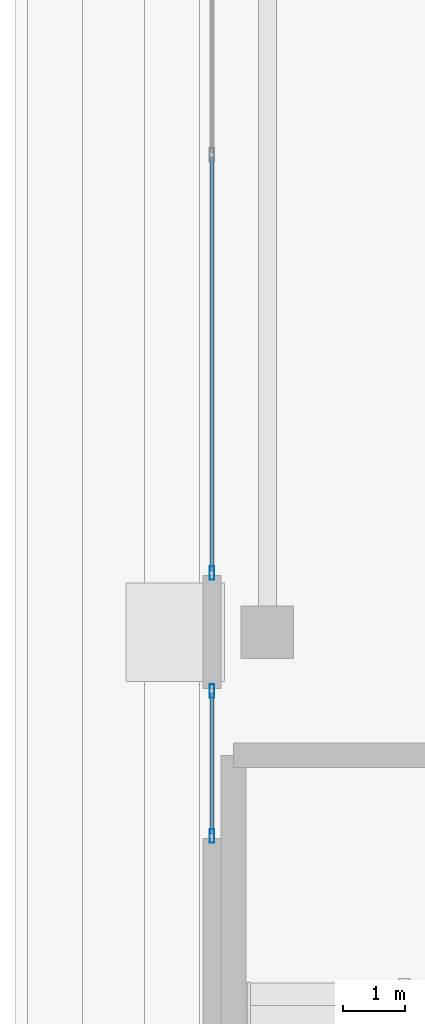
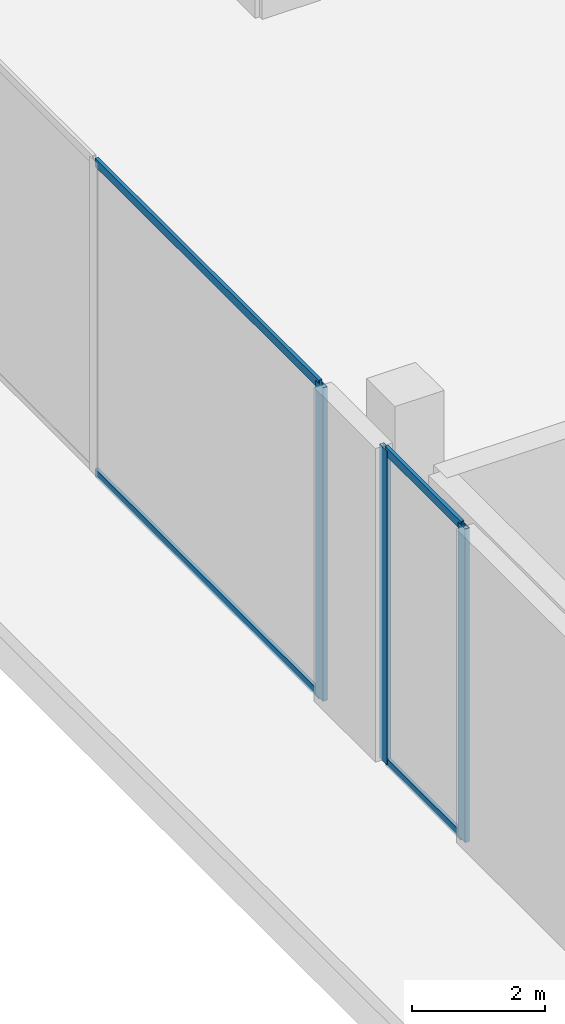
# One storey, part 6 of 39: 7 members, 2 elements without a shape of their own.
"""IFC4 building model written with IfcOpenShell, lengths in metres."""

import ifcopenshell
import ifcopenshell.guid

model = None  # the IFC model being written
_history = None  # IfcOwnerHistory: only IFC2X3 demands one
_inside = {}  # id of a spatial element -> (the spatial element, [elements in it])
_under = {}  # id of a project, library or spatial element -> (it, [spatial elements below it])
_declared = {}  # id of a project -> (the project, [libraries it declares])
_typed = {}  # id of a type object -> (the type object, [elements of that type])
_made_of = {}  # id of a material, layer set ... -> (it, [elements and type objects made of it])


def new_model(schema):
    """Start an empty IFC model of exactly this schema.

    Asked for "IFC4X3", IfcOpenShell would pick the latest addendum, in which some entities
    have other attributes; the version numbers below select the first issue.
    IFC2X3 requires an IfcOwnerHistory on every rooted entity: one is made here for all.
    """
    global model, _history
    if schema == "IFC4X3":
        model = ifcopenshell.file(schema_version=(4, 3, 0, 0))
    else:
        model = ifcopenshell.file(schema=schema)
    _inside.clear()
    _under.clear()
    _declared.clear()
    _typed.clear()
    _made_of.clear()
    _history = None
    if model.schema == "IFC2X3":
        org = make("IfcOrganization", Name="unknown")
        user = make(
            "IfcPersonAndOrganization",
            ThePerson=make("IfcPerson", FamilyName="unknown"),
            TheOrganization=org,
        )
        app = make(
            "IfcApplication",
            ApplicationDeveloper=org,
            Version="unknown",
            ApplicationFullName="unknown",
            ApplicationIdentifier="unknown",
        )
        _history = make(
            "IfcOwnerHistory",
            OwningUser=user,
            OwningApplication=app,
            ChangeAction="ADDED",
            CreationDate=0,
        )
    return model


def make(cls, **values):
    """One entity of the class cls with the attributes given. An attribute that is None is left unset."""
    return model.create_entity(
        cls, **{name: value for name, value in values.items() if value is not None}
    )


def rooted(cls, **values):
    """An entity with a GlobalId (a new one), such as an element, a storey or a relation."""
    return make(cls, GlobalId=ifcopenshell.guid.new(), OwnerHistory=_history, **values)


def si_unit(unit_type, name, prefix=None):
    """IfcSIUnit, for example si_unit("LENGTHUNIT", "METRE", prefix="MILLI")."""
    return make("IfcSIUnit", UnitType=unit_type, Prefix=prefix, Name=name)


def assignment(units):
    """IfcUnitAssignment: the units of a project."""
    return None if units is None else make("IfcUnitAssignment", Units=units)


def point(xyz):
    """IfcCartesianPoint."""
    return None if xyz is None else make("IfcCartesianPoint", Coordinates=xyz)


def direction(xyz):
    """IfcDirection."""
    return None if xyz is None else make("IfcDirection", DirectionRatios=xyz)


def frame(location, z_axis=None, x_axis=None):
    """IfcAxis2Placement3D, a coordinate frame: its origin and axes. An axis left out is left unset."""
    return make(
        "IfcAxis2Placement3D",
        Location=point(location),
        Axis=direction(z_axis),
        RefDirection=direction(x_axis),
    )


def frame_2d(location, x_axis=None):
    """IfcAxis2Placement2D, a coordinate frame in the plane: its origin and x axis."""
    return make(
        "IfcAxis2Placement2D", Location=point(location), RefDirection=direction(x_axis)
    )


def origin():
    """The frame at (0, 0, 0) with its axes left unset."""
    return frame((0.0, 0.0, 0.0))


def origin_2d():
    """The frame at (0, 0) in the plane with its x axis left unset."""
    return frame_2d((0.0, 0.0))


def place(relative_to, where):
    """IfcLocalPlacement: puts the frame where relative to a parent placement (None: the world)."""
    return make(
        "IfcLocalPlacement", PlacementRelTo=relative_to, RelativePlacement=where
    )


def context(
    kind, dimensions, precision=None, world=None, true_north=None, identifier=None
):
    """IfcGeometricRepresentationContext, for example the 3D "Model" context."""
    return make(
        "IfcGeometricRepresentationContext",
        ContextIdentifier=identifier,
        ContextType=kind,
        CoordinateSpaceDimension=dimensions,
        Precision=precision,
        WorldCoordinateSystem=world,
        TrueNorth=true_north,
    )


def subcontext(parent, identifier, kind, view, scale=None):
    """IfcGeometricRepresentationSubContext, for example "Body" below "Model"."""
    return make(
        "IfcGeometricRepresentationSubContext",
        ContextIdentifier=identifier,
        ContextType=kind,
        ParentContext=parent,
        TargetScale=scale,
        TargetView=view,
    )


def project(units=None, contexts=None):
    """IfcProject with its units and contexts."""
    return rooted(
        "IfcProject",
        Name="project",
        RepresentationContexts=contexts,
        UnitsInContext=assignment(units),
    )


def spatial(cls, under=None, at=None, **own):
    """A site, building, storey or space (cls), placed at a placement, below another one or the project."""
    s = rooted(cls, ObjectPlacement=at, **own)
    if under is not None:
        _under.setdefault(under.id(), (under, []))[1].append(s)
    return s


def profile(cls, at=None, kind="AREA", **sizes):
    """A parametric profile (cls). Its sizes go by their IFC names, for example OverallWidth=200.0."""
    return make(cls, ProfileType=kind, Position=at, **sizes)


def hollow_rectangle(**sizes):
    """IfcRectangleHollowProfileDef."""
    return profile("IfcRectangleHollowProfileDef", **sizes)


def extrude(swept, where, along, depth):
    """IfcExtrudedAreaSolid: the profile swept, set in the frame where, extruded along a direction by depth."""
    return make(
        "IfcExtrudedAreaSolid",
        SweptArea=swept,
        Position=where,
        ExtrudedDirection=direction(along),
        Depth=depth,
    )


def shape(context_of_items, identifier, shape_type, items):
    """IfcShapeRepresentation: the items that make up one representation, for example the "Body"."""
    return make(
        "IfcShapeRepresentation",
        ContextOfItems=context_of_items,
        RepresentationIdentifier=identifier,
        RepresentationType=shape_type,
        Items=items,
    )


def material(Name=None, Category=None):
    """IfcMaterial."""
    return make("IfcMaterial", Name=Name, Category=Category)


def layer(
    of_material, thickness, ventilated=None, Name=None, Category=None, Priority=None
):
    """IfcMaterialLayer: one layer of a wall or slab, of a material (None: an air gap)."""
    return make(
        "IfcMaterialLayer",
        Material=of_material,
        LayerThickness=thickness,
        IsVentilated=ventilated,
        Name=Name,
        Category=Category,
        Priority=Priority,
    )


def layer_set(layers, Name=None):
    """IfcMaterialLayerSet."""
    return make("IfcMaterialLayerSet", MaterialLayers=layers, LayerSetName=Name)


def material_profile(
    of_material, cross_section, Name=None, Category=None, Priority=None
):
    """IfcMaterialProfile: a cross section and its material."""
    return make(
        "IfcMaterialProfile",
        Name=Name,
        Material=of_material,
        Profile=cross_section,
        Priority=Priority,
        Category=Category,
    )


def profile_set(profiles, Name=None, composite=None):
    """IfcMaterialProfileSet."""
    return make(
        "IfcMaterialProfileSet",
        Name=Name,
        MaterialProfiles=profiles,
        CompositeProfile=composite,
    )


def made_of(thing, what):
    """Note that an element or type object is made of a material, layer set ...; save() writes the relation."""
    if what is not None:
        _made_of.setdefault(what.id(), (what, []))[1].append(thing)
    return thing


def type_object(cls, material=None, **own):
    """A type object (cls), such as IfcWallType, which elements share."""
    return made_of(rooted(cls, **own), material)


def element(
    cls,
    number,
    at=None,
    inside=None,
    cuts=None,
    type_object=None,
    material=None,
    context=None,
    identifier="Body",
    shape_type=None,
    held_by="IfcProductDefinitionShape",
    body=None,
    shapes=None,
    **own,
):
    """One element of the class cls, such as IfcWall. Its Tag is "e" and its number.

    at: its placement. inside: the storey or other place that contains it. cuts: it is an
    opening in that element (IfcRelVoidsElement). A single representation is given by context,
    identifier, shape_type and body (its items); several are given by shapes. held_by: the class
    of the entity that holds the representations. save() writes the other relations.
    """
    e = rooted(cls, Tag="e%d" % number, ObjectPlacement=at, **own)
    if body is not None:
        shapes = [shape(context, identifier, shape_type, body)]
    if shapes is not None:
        e.Representation = make(held_by, Representations=shapes)
    if inside is not None:
        _inside.setdefault(inside.id(), (inside, []))[1].append(e)
    if cuts is not None:
        rooted(
            "IfcRelVoidsElement", RelatingBuildingElement=cuts, RelatedOpeningElement=e
        )
    if type_object is not None:
        _typed.setdefault(type_object.id(), (type_object, []))[1].append(e)
    return made_of(e, material)


def aggregate(whole, parts):
    """IfcRelAggregates: a whole, such as a stair, and the parts it consists of."""
    return rooted("IfcRelAggregates", RelatingObject=whole, RelatedObjects=parts)


def save(model, path):
    """Write the relations noted so far, then the file.

    IfcRelAggregates (storeys below a building ...), IfcRelContainedInSpatialStructure (elements
    in a storey), IfcRelDefinesByType, IfcRelAssociatesMaterial and IfcRelDeclares: one each for
    every whole, place, type object, material and project.
    """
    for whole, parts in _under.values():
        aggregate(whole, parts)
    for where, things in _inside.values():
        rooted(
            "IfcRelContainedInSpatialStructure",
            RelatedElements=things,
            RelatingStructure=where,
        )
    for kind, things in _typed.values():
        rooted("IfcRelDefinesByType", RelatedObjects=things, RelatingType=kind)
    for what, things in _made_of.values():
        rooted("IfcRelAssociatesMaterial", RelatedObjects=things, RelatingMaterial=what)
    for by, libraries in _declared.values():
        rooted("IfcRelDeclares", RelatingContext=by, RelatedDefinitions=libraries)
    model.write(path)


model = new_model("IFC4")

# Units and contexts
model_context = context("Model", 3, precision=1e-05, world=origin(), true_north=direction((0.0, 1.0)))
body_context = subcontext(model_context, "Body", "Model", "MODEL_VIEW")
ifc_project = project(units=[si_unit("LENGTHUNIT", "METRE"), si_unit("AREAUNIT", "SQUARE_METRE"), si_unit("VOLUMEUNIT", "CUBIC_METRE"), si_unit("PLANEANGLEUNIT", "RADIAN"), si_unit("MASSUNIT", "GRAM", prefix="KILO")], contexts=[model_context])

# Site, building, storey
site_placement = place(None, origin())
site = spatial("IfcSite", under=ifc_project, at=site_placement, CompositionType="ELEMENT")
building_placement = place(site_placement, origin())
building = spatial("IfcBuilding", under=site, at=building_placement, Name="Zuhayl Quay Hotel", CompositionType="ELEMENT")
storey_placement = place(building_placement, origin())
storey = spatial("IfcBuildingStorey", under=building, at=storey_placement, Name="L00", CompositionType="ELEMENT", Elevation=0.0)

# Curtain wall, members
ifc_material_1 = material(Name="Anodised Aluminium 6063-T6", Category="aluminium")
ifc_layer = layer(ifc_material_1, 0.199951171875, Name="Anodised Aluminium 6063-T6", Category="aluminium")
ifc_layer_set = layer_set([ifc_layer], Name="Anodised Aluminium 6063-T6")
curtain_wall_type = type_object("IfcCurtainWallType", Name="CW_SYS_POD", PredefinedType="USERDEFINED", material=ifc_layer_set)
curtain_wall_1_placement = place(storey_placement, origin())
curtain_wall_1 = element("IfcCurtainWall", 1, at=curtain_wall_1_placement, inside=storey, type_object=curtain_wall_type, Name="L00 Curtain Wall ENV_L00_E02_CW1", ObjectType="UNITISED CURTAIN WALL", PredefinedType="USERDEFINED")
ifc_material_2 = material(Name="Black-anodised aluminium 6063-T6", Category="aluminium")
ifc_material_profile_1 = material_profile(ifc_material_2, hollow_rectangle(XDim=0.074951171875, YDim=0.219970703125, WallThickness=0.00390625, at=origin_2d()), Name="ALU220X75")
ifc_profile_set_1 = profile_set([ifc_material_profile_1], Name="Black-anodised aluminium 6063-T6")
member_type_1 = type_object("IfcMemberType", Name="MB_CW_MUL_220", PredefinedType="MULLION", material=ifc_profile_set_1)
member_1_placement = place(storey_placement, frame((-36.0, -3.3125, 0.0), z_axis=(0.0, 0.0, 1.0), x_axis=(-1.0, 0.0, 0.0)))
member_1 = element("IfcMember", 2, at=member_1_placement, type_object=member_type_1, Name="CW-POD mullion 1", PredefinedType="MULLION", context=body_context, shape_type="SweptSolid", body=[
    extrude(hollow_rectangle(XDim=0.074951171875, YDim=0.219970703125, WallThickness=0.00390625, at=origin_2d()), origin(), (0.0, 0.0, 1.0), 5.75),
])
member_2_placement = place(storey_placement, frame((-36.0, -0.95751953125, 0.0), z_axis=(0.0, 0.0, 1.0), x_axis=(-1.0, 0.0, 0.0)))
member_2 = element("IfcMember", 3, at=member_2_placement, type_object=member_type_1, Name="CW-POD mullion 2", PredefinedType="MULLION", context=body_context, shape_type="SweptSolid", body=[
    extrude(hollow_rectangle(XDim=0.074951171875, YDim=0.219970703125, WallThickness=0.00390625, at=origin_2d()), origin(), (0.0, 0.0, 1.0), 5.75),
])

# Curtain wall, member
curtain_wall_2_placement = place(storey_placement, origin())
curtain_wall_2 = element("IfcCurtainWall", 4, at=curtain_wall_2_placement, inside=storey, type_object=curtain_wall_type, Name="L00 Curtain Wall ENV_L00_E02_CW2", ObjectType="UNITISED CURTAIN WALL", PredefinedType="USERDEFINED")
member_3_placement = place(storey_placement, frame((-36.0, 0.95751953125, 0.0), z_axis=(0.0, 0.0, 1.0), x_axis=(-1.0, 0.0, 0.0)))
member_3 = element("IfcMember", 5, at=member_3_placement, type_object=member_type_1, Name="CW-POD mullion 1", PredefinedType="MULLION", context=body_context, shape_type="SweptSolid", body=[
    extrude(hollow_rectangle(XDim=0.074951171875, YDim=0.219970703125, WallThickness=0.00390625, at=origin_2d()), origin(), (0.0, 0.0, 1.0), 5.75),
])

# Member
ifc_material_profile_2 = material_profile(ifc_material_2, hollow_rectangle(XDim=0.06005859375, YDim=0.14990234375, WallThickness=0.00341796875, at=origin_2d()), Name="ALU150X60")
ifc_profile_set_2 = profile_set([ifc_material_profile_2], Name="Black-anodised aluminium 6063-T6")
member_type_2 = type_object("IfcMemberType", Name="MB_CW_TRN_150", PredefinedType="USERDEFINED", material=ifc_profile_set_2)
member_4_placement = place(storey_placement, frame((-36.0, -3.27490234375, 0.030029296875), z_axis=(0.0, 1.0, 0.0), x_axis=(-1.0, 0.0, 0.0)))
member_4 = element("IfcMember", 6, at=member_4_placement, type_object=member_type_2, Name="CW-POD transom 1.1", ObjectType="TRANSOM", PredefinedType="USERDEFINED", context=body_context, shape_type="SweptSolid", body=[
    extrude(hollow_rectangle(XDim=0.06005859375, YDim=0.14990234375, WallThickness=0.00341796875, at=origin_2d()), origin(), (0.0, 0.0, 1.0), 2.27978515625),
])

member_5_placement = place(storey_placement, frame((-36.0, -3.27490234375, 5.719970703125), z_axis=(0.0, 1.0, 0.0), x_axis=(-1.0, 0.0, 0.0)))
member_5 = element("IfcMember", 7, at=member_5_placement, type_object=member_type_2, Name="CW-POD transom 1.2", ObjectType="TRANSOM", PredefinedType="USERDEFINED", context=body_context, shape_type="SweptSolid", body=[
    extrude(hollow_rectangle(XDim=0.06005859375, YDim=0.14990234375, WallThickness=0.00341796875, at=origin_2d()), origin(), (0.0, 0.0, 1.0), 2.27978515625),
])

aggregate(curtain_wall_1, [member_1, member_2, member_4, member_5])

member_6_placement = place(storey_placement, frame((-36.0, 0.9951171875, 0.030029296875), z_axis=(0.0, 1.0, 0.0), x_axis=(-1.0, 0.0, 0.0)))
member_6 = element("IfcMember", 8, at=member_6_placement, type_object=member_type_2, Name="CW-POD transom 1.1", ObjectType="TRANSOM", PredefinedType="USERDEFINED", context=body_context, shape_type="SweptSolid", body=[
    extrude(hollow_rectangle(XDim=0.06005859375, YDim=0.14990234375, WallThickness=0.00341796875, at=origin_2d()), origin(), (0.0, 0.0, 1.0), 6.71728515625),
])

member_7_placement = place(storey_placement, frame((-36.0, 0.9951171875, 5.719970703125), z_axis=(0.0, 1.0, 0.0), x_axis=(-1.0, 0.0, 0.0)))
member_7 = element("IfcMember", 9, at=member_7_placement, type_object=member_type_2, Name="CW-POD transom 1.2", ObjectType="TRANSOM", PredefinedType="USERDEFINED", context=body_context, shape_type="SweptSolid", body=[
    extrude(hollow_rectangle(XDim=0.06005859375, YDim=0.14990234375, WallThickness=0.00341796875, at=origin_2d()), origin(), (0.0, 0.0, 1.0), 6.71728515625),
])

aggregate(curtain_wall_2, [member_3, member_6, member_7])

save(model, "model.ifc")
